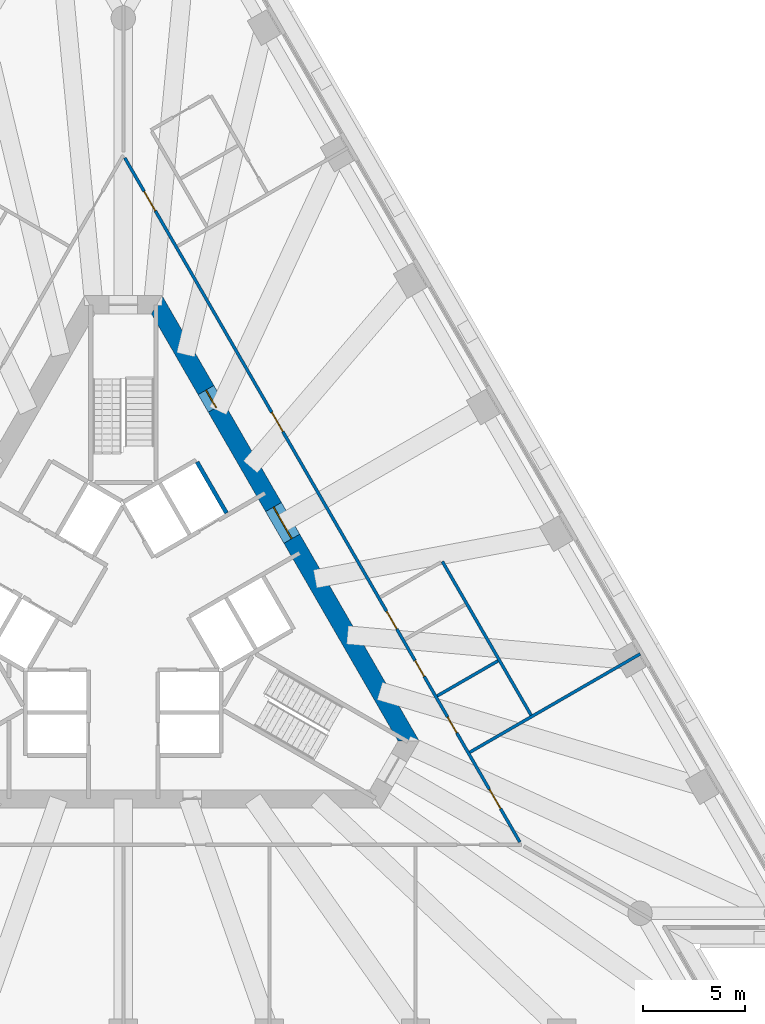
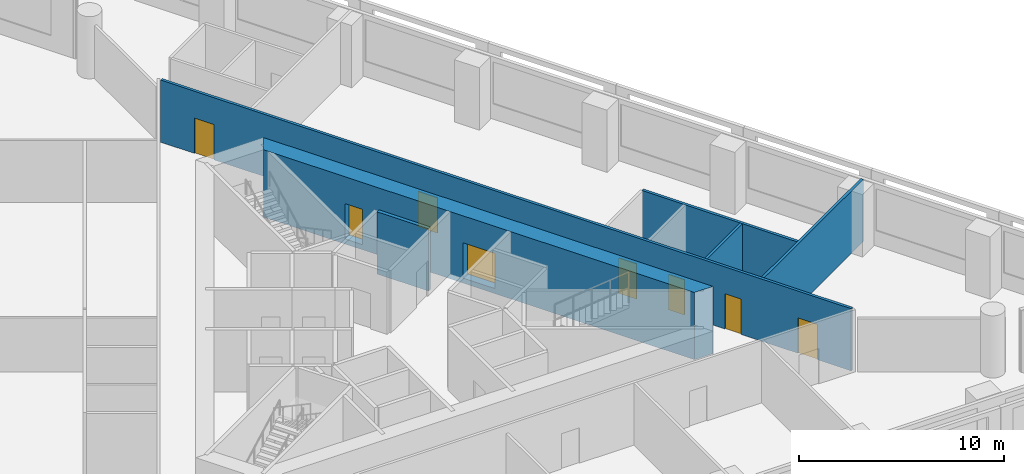
# One storey, part 6 of 11: 8 doors, 6 walls, 8 openings.
"""IFC4 building model written with IfcOpenShell, lengths in metres."""

from ifc_helpers import new_model, si_unit, direction, frame, frame_2d, origin, place, context, subcontext, project, spatial, polyline, rectangle, outline, extrude, material, layer, layer_set, type_object, element, fill, save


model = new_model("IFC4")

# Units and contexts
model_context = context("Model", 3, precision=1e-05, world=origin(), true_north=direction((0.0, 1.0)))
body_context = subcontext(model_context, "Body", "Model", "MODEL_VIEW")
ifc_project = project(units=[si_unit("LENGTHUNIT", "METRE"), si_unit("AREAUNIT", "SQUARE_METRE"), si_unit("VOLUMEUNIT", "CUBIC_METRE"), si_unit("PLANEANGLEUNIT", "RADIAN"), si_unit("MASSUNIT", "GRAM", prefix="KILO")], contexts=[model_context])

# Site, building, storey
site_placement = place(None, origin())
site = spatial("IfcSite", under=ifc_project, at=site_placement, CompositionType="ELEMENT")
building_placement = place(site_placement, origin())
building = spatial("IfcBuilding", under=site, at=building_placement, Name="Triada Interchange Tower", CompositionType="ELEMENT")
storey_placement = place(building_placement, frame((0.0, 0.0, 87.300048828125)))
storey = spatial("IfcBuildingStorey", under=building, at=storey_placement, Name="L19", CompositionType="ELEMENT", Elevation=87.300048828125)

# Wall
ifc_material_1 = material(Name="Concrete C30/37", Category="concrete")
ifc_layer_1 = layer(ifc_material_1, 0.199951171875)
ifc_layer_set_1 = layer_set([ifc_layer_1], Name="CORE WALL 200 EI 120")
wall_type_1 = type_object("IfcWallType", Name="CORE WALL 200 EI 120", PredefinedType="SOLIDWALL", material=ifc_layer_set_1)
wall_1_placement = place(storey_placement, frame((3.6259765625, 7.52001953125, 0.0), z_axis=(0.0, 0.0, 1.0), x_axis=(0.500060147554, -0.865990674793, 0.0)))
element("IfcWall", 1, at=wall_1_placement, inside=storey, type_object=wall_type_1, Name="Wall L18 59", PredefinedType="SOLIDWALL", context=body_context, shape_type="SweptSolid", body=[
    extrude(rectangle(XDim=2.899658203125, YDim=0.199951171875, at=frame_2d((1.44970703125, 0.0))), origin(), (0.0, 0.0, 1.0), 3.699951171875),
])

# Wall, openings, doors
ifc_material_2 = material(Name="Concrete C70/85", Category="concrete")
ifc_layer_2 = layer(ifc_material_2, 0.89990234375)
ifc_layer_set_2 = layer_set([ifc_layer_2], Name="Core wall A 900")
wall_type_2 = type_object("IfcWallType", Name="Core wall A 900", PredefinedType="SHEAR", material=ifc_layer_set_2)
wall_2_placement = place(storey_placement, frame((14.030029296875, -6.199951171875, -0.300048828125), z_axis=(0.0, 0.0, 1.0), x_axis=(-0.500026485275, 0.866010111964, 0.0)))
wall_2 = element("IfcWall", 2, at=wall_2_placement, inside=storey, type_object=wall_type_2, Name="Core wall WA06 L19", PredefinedType="SHEAR", context=body_context, shape_type="SweptSolid", body=[
    extrude(outline(polyline([(-0.260009765625, -0.448974609375), (1.685302734375, -0.448974609375), (3.63037109375, -0.44921875), (5.57568359375, -0.44921875), (7.52099609375, -0.44921875), (9.466064453125, -0.449462890625), (11.411376953125, -0.449462890625), (13.356689453125, -0.449462890625), (15.302001953125, -0.449462890625), (17.2470703125, -0.44970703125), (19.1923828125, -0.44970703125), (21.1376953125, -0.44970703125), (23.082763671875, -0.449951171875), (25.028076171875, -0.449951171875), (24.509033203125, 0.448974609375), (22.643798828125, 0.448974609375), (20.7783203125, 0.44921875), (18.9130859375, 0.44921875), (17.0478515625, 0.44921875), (15.182373046875, 0.449462890625), (13.317138671875, 0.449462890625), (11.451904296875, 0.449462890625), (9.586669921875, 0.449462890625), (7.72119140625, 0.44970703125), (5.85595703125, 0.44970703125), (3.99072265625, 0.44970703125), (2.125244140625, 0.449951171875), (0.260009765625, 0.449951171875), (-0.260009765625, -0.448974609375)])), origin(), (0.0, 0.0, 1.0), 4.0),
])
opening_1_placement = place(wall_2_placement, frame((11.48388671875, 0.0, 0.300048828125)))
opening_1 = element("IfcOpeningElement", 3, at=opening_1_placement, cuts=wall_2, Name="Opening D18-38", PredefinedType="OPENING", context=body_context, shape_type="SweptSolid", body=[
    extrude(rectangle(XDim=1.800048828125, YDim=2.10009765625, at=frame_2d((0.89990234375, 1.050048828125))), frame((0.0, 0.4599609375, 0.0), z_axis=(0.0, -1.0, 0.0), x_axis=(1.0, 0.0, 0.0)), (0.0, 0.0, 1.0), 0.919921875),
])
opening_2_placement = place(wall_2_placement, frame((18.926025390625, 0.0, 0.300048828125)))
opening_2 = element("IfcOpeningElement", 4, at=opening_2_placement, cuts=wall_2, Name="Opening D18-46", PredefinedType="OPENING", context=body_context, shape_type="SweptSolid", body=[
    extrude(rectangle(XDim=1.0, YDim=2.10009765625, at=frame_2d((0.5, 1.050048828125))), frame((0.0, 0.4599609375, 0.0), z_axis=(0.0, -1.0, 0.0), x_axis=(1.0, 0.0, 0.0)), (0.0, 0.0, 1.0), 0.919921875),
])
ifc_material_3 = material(Name="Steel S235 door leaf", Category="steel")
door_type_1 = type_object("IfcDoorType", Name="LOBBY DOOR 1800 EI2 90-C5S200", OperationType="DOUBLE_DOOR_SINGLE_SWING", PredefinedType="DOOR", material=ifc_material_3)
door_1_placement = place(opening_1_placement, origin())
door_1 = element("IfcDoor", 5, at=door_1_placement, inside=storey, type_object=door_type_1, Name="Door D18-38 L19", OperationType="DOUBLE_DOOR_SINGLE_SWING", OverallHeight=2.10009765625, OverallWidth=1.800048828125, PredefinedType="DOOR", context=body_context, shape_type="SweptSolid", body=[
    extrude(rectangle(XDim=1.800048828125, YDim=2.10009765625, at=frame_2d((0.89990234375, 1.050048828125))), frame((0.0, 0.02490234375, 0.0), z_axis=(0.0, -1.0, 0.0), x_axis=(1.0, 0.0, 0.0)), (0.0, 0.0, 1.0), 0.050048828125),
])
fill(opening_1, door_1)
door_type_2 = type_object("IfcDoorType", Name="SERVICE DOOR 1000 EI2 45-C5S200", OperationType="NOTDEFINED", PredefinedType="DOOR", material=ifc_material_3)
door_2_placement = place(opening_2_placement, origin())
door_2 = element("IfcDoor", 6, at=door_2_placement, inside=storey, type_object=door_type_2, Name="Door D18-46 L19", OperationType="SINGLE_SWING_LEFT", OverallHeight=2.10009765625, OverallWidth=1.0, PredefinedType="DOOR", context=body_context, shape_type="SweptSolid", body=[
    extrude(rectangle(XDim=1.0, YDim=2.10009765625, at=frame_2d((0.5, 1.050048828125))), frame((0.0, 0.02490234375, 0.0), z_axis=(0.0, -1.0, 0.0), x_axis=(1.0, 0.0, 0.0)), (0.0, 0.0, 1.0), 0.050048828125),
])
fill(opening_2, door_2)

ifc_material_4 = material(Name="Gypsum board partition")
ifc_layer_3 = layer(ifc_material_4, 0.14990234375)
ifc_layer_set_3 = layer_set([ifc_layer_3], Name="PARTITION 150 EI 180")
wall_type_3 = type_object("IfcWallType", Name="PARTITION 150 EI 180", PredefinedType="PARTITIONING", material=ifc_layer_set_3)
wall_3_placement = place(storey_placement, frame((0.074951171875, 22.469970703125, 0.0), z_axis=(0.0, 0.0, 1.0), x_axis=(0.500002280369, -0.866024087209, 0.0)))
wall_3 = element("IfcWall", 7, at=wall_3_placement, inside=storey, type_object=wall_type_3, Name="Wall L18 19", PredefinedType="PARTITIONING", context=body_context, shape_type="SweptSolid", body=[
    extrude(rectangle(XDim=38.843994140625, YDim=0.14990234375, at=frame_2d((19.421875, 0.0))), origin(), (0.0, 0.0, 1.0), 3.699951171875),
])
opening_3_placement = place(wall_3_placement, frame((35.843994140625, 0.0, 0.0)))
opening_3 = element("IfcOpeningElement", 8, at=opening_3_placement, cuts=wall_3, Name="Opening D18-20", PredefinedType="OPENING", context=body_context, shape_type="SweptSolid", body=[
    extrude(rectangle(XDim=1.10009765625, YDim=2.10009765625, at=frame_2d((0.550048828125, 1.050048828125))), frame((0.0, 0.0849609375, 0.0), z_axis=(0.0, -1.0, 0.0), x_axis=(1.0, 0.0, 0.0)), (0.0, 0.0, 1.0), 0.169921875),
])
opening_4_placement = place(wall_3_placement, frame((14.43994140625, 0.0, 0.0)))
opening_4 = element("IfcOpeningElement", 9, at=opening_4_placement, cuts=wall_3, Name="Opening D18-21", PredefinedType="OPENING", context=body_context, shape_type="SweptSolid", body=[
    extrude(rectangle(XDim=1.10009765625, YDim=2.10009765625, at=frame_2d((0.550048828125, 1.050048828125))), frame((0.0, 0.0849609375, 0.0), z_axis=(0.0, -1.0, 0.0), x_axis=(1.0, 0.0, 0.0)), (0.0, 0.0, 1.0), 0.169921875),
])
opening_5_placement = place(wall_3_placement, frame((31.739990234375, 0.0, 0.0)))
opening_5 = element("IfcOpeningElement", 10, at=opening_5_placement, cuts=wall_3, Name="Opening D18-22", PredefinedType="OPENING", context=body_context, shape_type="SweptSolid", body=[
    extrude(rectangle(XDim=0.89990234375, YDim=2.10009765625, at=frame_2d((0.449951171875, 1.050048828125))), frame((0.0, 0.0849609375, 0.0), z_axis=(0.0, -1.0, 0.0), x_axis=(1.0, 0.0, 0.0)), (0.0, 0.0, 1.0), 0.169921875),
])
opening_6_placement = place(wall_3_placement, frame((28.5400390625, 0.0, 0.0)))
opening_6 = element("IfcOpeningElement", 11, at=opening_6_placement, cuts=wall_3, Name="Opening D18-23", PredefinedType="OPENING", context=body_context, shape_type="SweptSolid", body=[
    extrude(rectangle(XDim=0.89990234375, YDim=2.10009765625, at=frame_2d((0.449951171875, 1.050048828125))), frame((0.0, 0.0849609375, 0.0), z_axis=(0.0, -1.0, 0.0), x_axis=(1.0, 0.0, 0.0)), (0.0, 0.0, 1.0), 0.169921875),
])
opening_7_placement = place(wall_3_placement, frame((25.739990234375, 0.0, 0.0)))
opening_7 = element("IfcOpeningElement", 12, at=opening_7_placement, cuts=wall_3, Name="Opening D18-24", PredefinedType="OPENING", context=body_context, shape_type="SweptSolid", body=[
    extrude(rectangle(XDim=1.0, YDim=2.10009765625, at=frame_2d((0.5, 1.050048828125))), frame((0.0, 0.0849609375, 0.0), z_axis=(0.0, -1.0, 0.0), x_axis=(1.0, 0.0, 0.0)), (0.0, 0.0, 1.0), 0.169921875),
])
opening_8_placement = place(wall_3_placement, frame((1.905029296875, 0.0, 0.0)))
opening_8 = element("IfcOpeningElement", 13, at=opening_8_placement, cuts=wall_3, Name="Opening D18-25", PredefinedType="OPENING", context=body_context, shape_type="SweptSolid", body=[
    extrude(rectangle(XDim=1.10009765625, YDim=2.10009765625, at=frame_2d((0.550048828125, 1.050048828125))), frame((0.0, 0.0849609375, 0.0), z_axis=(0.0, -1.0, 0.0), x_axis=(1.0, 0.0, 0.0)), (0.0, 0.0, 1.0), 0.169921875),
])
door_type_3 = type_object("IfcDoorType", Name="ROOM DOOR 1000 EI2 90-C5S200", OperationType="NOTDEFINED", PredefinedType="DOOR", material=ifc_material_3)
door_3_placement = place(opening_7_placement, origin())
door_3 = element("IfcDoor", 14, at=door_3_placement, inside=storey, type_object=door_type_3, Name="Door D18-24 L19", OperationType="SINGLE_SWING_LEFT", OverallHeight=2.10009765625, OverallWidth=1.0, PredefinedType="DOOR", context=body_context, shape_type="SweptSolid", body=[
    extrude(rectangle(XDim=1.0, YDim=2.10009765625, at=frame_2d((0.5, 1.050048828125))), frame((0.0, 0.02490234375, 0.0), z_axis=(0.0, -1.0, 0.0), x_axis=(1.0, 0.0, 0.0)), (0.0, 0.0, 1.0), 0.050048828125),
])
fill(opening_7, door_3)
door_type_4 = type_object("IfcDoorType", Name="ROOM DOOR 900 EI2 90-C5S200", OperationType="NOTDEFINED", PredefinedType="DOOR", material=ifc_material_3)
door_4_placement = place(opening_5_placement, origin())
door_4 = element("IfcDoor", 15, at=door_4_placement, inside=storey, type_object=door_type_4, Name="Door D18-22 L19", OperationType="SINGLE_SWING_LEFT", OverallHeight=2.10009765625, OverallWidth=0.89990234375, PredefinedType="DOOR", context=body_context, shape_type="SweptSolid", body=[
    extrude(rectangle(XDim=0.89990234375, YDim=2.10009765625, at=frame_2d((0.449951171875, 1.050048828125))), frame((0.0, 0.02490234375, 0.0), z_axis=(0.0, -1.0, 0.0), x_axis=(1.0, 0.0, 0.0)), (0.0, 0.0, 1.0), 0.050048828125),
])
fill(opening_5, door_4)
door_5_placement = place(opening_6_placement, origin())
door_5 = element("IfcDoor", 16, at=door_5_placement, inside=storey, type_object=door_type_4, Name="Door D18-23 L19", OperationType="SINGLE_SWING_RIGHT", OverallHeight=2.10009765625, OverallWidth=0.89990234375, PredefinedType="DOOR", context=body_context, shape_type="SweptSolid", body=[
    extrude(rectangle(XDim=0.89990234375, YDim=2.10009765625, at=frame_2d((0.449951171875, 1.050048828125))), frame((0.0, 0.02490234375, 0.0), z_axis=(0.0, -1.0, 0.0), x_axis=(1.0, 0.0, 0.0)), (0.0, 0.0, 1.0), 0.050048828125),
])
fill(opening_6, door_5)
door_type_5 = type_object("IfcDoorType", Name="TENANCY ENTRANCE DOOR 1100 EI2 90-C5S200", OperationType="NOTDEFINED", PredefinedType="DOOR", material=ifc_material_3)
door_6_placement = place(opening_3_placement, origin())
door_6 = element("IfcDoor", 17, at=door_6_placement, inside=storey, type_object=door_type_5, Name="Door D18-20 L19", OperationType="SINGLE_SWING_RIGHT", OverallHeight=2.10009765625, OverallWidth=1.10009765625, PredefinedType="DOOR", context=body_context, shape_type="SweptSolid", body=[
    extrude(rectangle(XDim=1.10009765625, YDim=2.10009765625, at=frame_2d((0.550048828125, 1.050048828125))), frame((0.0, 0.02490234375, 0.0), z_axis=(0.0, -1.0, 0.0), x_axis=(1.0, 0.0, 0.0)), (0.0, 0.0, 1.0), 0.050048828125),
])
fill(opening_3, door_6)
door_7_placement = place(opening_4_placement, origin())
door_7 = element("IfcDoor", 18, at=door_7_placement, inside=storey, type_object=door_type_5, Name="Door D18-21 L19", OperationType="SINGLE_SWING_RIGHT", OverallHeight=2.10009765625, OverallWidth=1.10009765625, PredefinedType="DOOR", context=body_context, shape_type="SweptSolid", body=[
    extrude(rectangle(XDim=1.10009765625, YDim=2.10009765625, at=frame_2d((0.550048828125, 1.050048828125))), frame((0.0, 0.02490234375, 0.0), z_axis=(0.0, -1.0, 0.0), x_axis=(1.0, 0.0, 0.0)), (0.0, 0.0, 1.0), 0.050048828125),
])
fill(opening_4, door_7)
door_8_placement = place(opening_8_placement, origin())
door_8 = element("IfcDoor", 19, at=door_8_placement, inside=storey, type_object=door_type_5, Name="Door D18-25 L19", OperationType="SINGLE_SWING_LEFT", OverallHeight=2.10009765625, OverallWidth=1.10009765625, PredefinedType="DOOR", context=body_context, shape_type="SweptSolid", body=[
    extrude(rectangle(XDim=1.10009765625, YDim=2.10009765625, at=frame_2d((0.550048828125, 1.050048828125))), frame((0.0, 0.02490234375, 0.0), z_axis=(0.0, -1.0, 0.0), x_axis=(1.0, 0.0, 0.0)), (0.0, 0.0, 1.0), 0.050048828125),
])
fill(opening_8, door_8)

# Walls
wall_4_placement = place(storey_placement, frame((15.68798828125, 2.6279296875, 0.0), z_axis=(0.0, 0.0, 1.0), x_axis=(0.499970334739, -0.866042530354, 0.0)))
element("IfcWall", 20, at=wall_4_placement, inside=storey, type_object=wall_type_3, Name="Wall L18 22", PredefinedType="PARTITIONING", context=body_context, shape_type="SweptSolid", body=[
    extrude(rectangle(XDim=8.724609375, YDim=0.14990234375, at=frame_2d((4.3623046875, 0.0))), origin(), (0.0, 0.0, 1.0), 3.699951171875),
])
wall_5_placement = place(storey_placement, frame((15.43505859375, -3.98388671875, 0.0), z_axis=(0.0, 0.0, 1.0), x_axis=(0.866061862632, 0.499936846106, 0.0)))
element("IfcWall", 21, at=wall_5_placement, inside=storey, type_object=wall_type_3, Name="Wall L18 26", PredefinedType="PARTITIONING", context=body_context, shape_type="SweptSolid", body=[
    extrude(rectangle(XDim=3.4501953125, YDim=0.14990234375, at=frame_2d((1.72509765625, 0.0))), origin(), (0.0, 0.0, 1.0), 3.699951171875),
])
wall_6_placement = place(storey_placement, frame((17.034912109375, -6.7548828125, 0.0), z_axis=(0.0, 0.0, 1.0), x_axis=(0.866035557451, 0.499982412921, 0.0)))
element("IfcWall", 22, at=wall_6_placement, inside=storey, type_object=wall_type_3, Name="Wall L18 27", PredefinedType="PARTITIONING", context=body_context, shape_type="SweptSolid", body=[
    extrude(rectangle(XDim=9.674072265625, YDim=0.14990234375, at=frame_2d((4.8369140625, 0.0))), origin(), (0.0, 0.0, 1.0), 3.699951171875),
])

save(model, "model.ifc")
